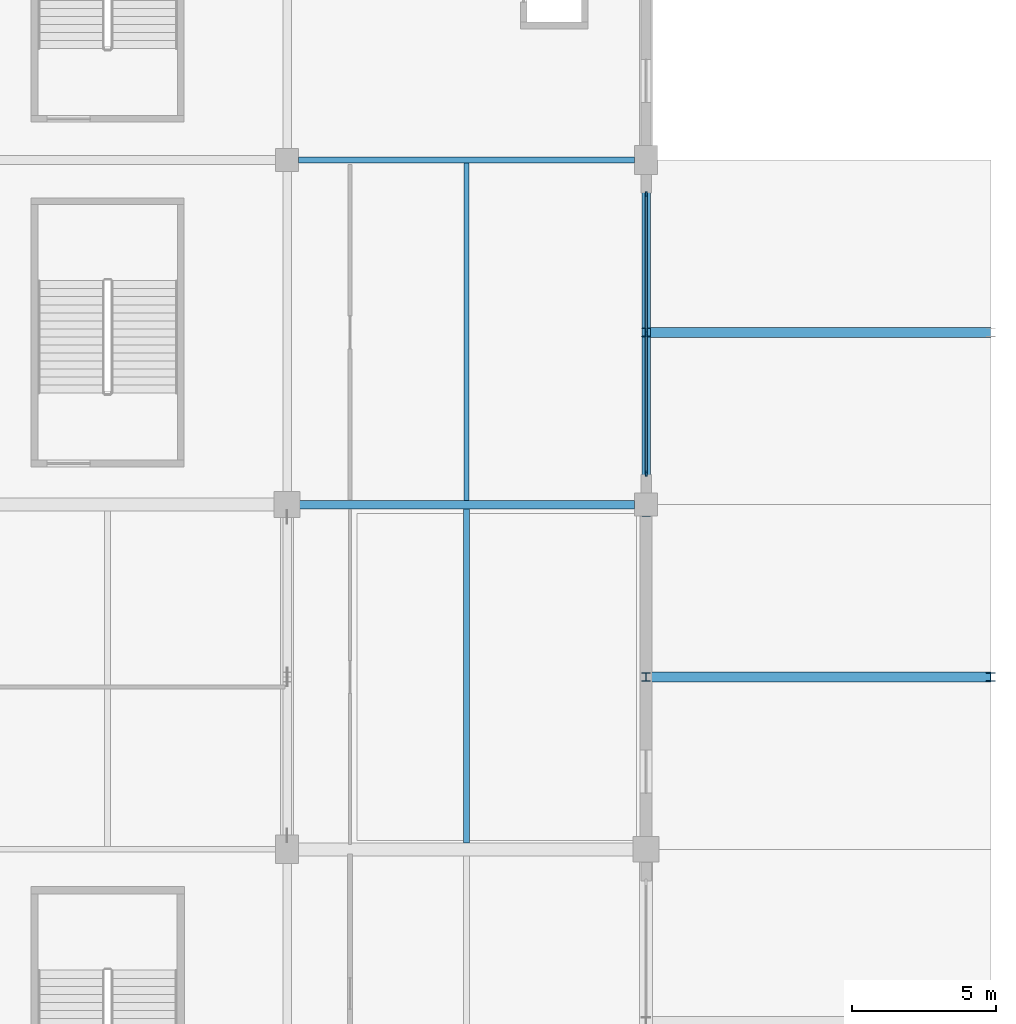
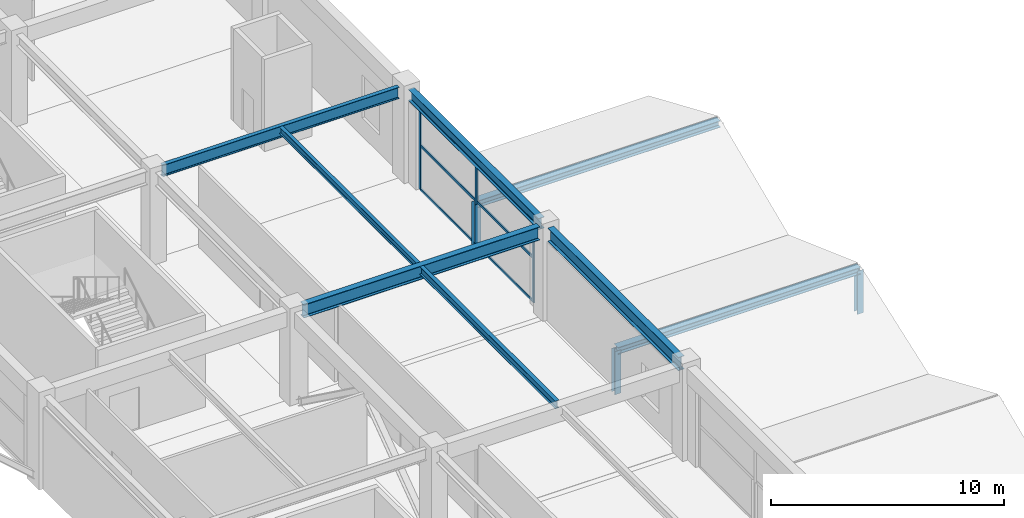
# One storey, part 43 of 116: 14 members, 6 beams, 1 element without a shape of its own.
"""IFC4 building model written with IfcOpenShell, lengths in metres."""

import ifcopenshell
import ifcopenshell.guid

model = None  # the IFC model being written
_history = None  # IfcOwnerHistory: only IFC2X3 demands one
_inside = {}  # id of a spatial element -> (the spatial element, [elements in it])
_under = {}  # id of a project, library or spatial element -> (it, [spatial elements below it])
_declared = {}  # id of a project -> (the project, [libraries it declares])
_typed = {}  # id of a type object -> (the type object, [elements of that type])
_made_of = {}  # id of a material, layer set ... -> (it, [elements and type objects made of it])


def new_model(schema):
    """Start an empty IFC model of exactly this schema.

    Asked for "IFC4X3", IfcOpenShell would pick the latest addendum, in which some entities
    have other attributes; the version numbers below select the first issue.
    IFC2X3 requires an IfcOwnerHistory on every rooted entity: one is made here for all.
    """
    global model, _history
    if schema == "IFC4X3":
        model = ifcopenshell.file(schema_version=(4, 3, 0, 0))
    else:
        model = ifcopenshell.file(schema=schema)
    _inside.clear()
    _under.clear()
    _declared.clear()
    _typed.clear()
    _made_of.clear()
    _history = None
    if model.schema == "IFC2X3":
        org = make("IfcOrganization", Name="unknown")
        user = make(
            "IfcPersonAndOrganization",
            ThePerson=make("IfcPerson", FamilyName="unknown"),
            TheOrganization=org,
        )
        app = make(
            "IfcApplication",
            ApplicationDeveloper=org,
            Version="unknown",
            ApplicationFullName="unknown",
            ApplicationIdentifier="unknown",
        )
        _history = make(
            "IfcOwnerHistory",
            OwningUser=user,
            OwningApplication=app,
            ChangeAction="ADDED",
            CreationDate=0,
        )
    return model


def make(cls, **values):
    """One entity of the class cls with the attributes given. An attribute that is None is left unset."""
    return model.create_entity(
        cls, **{name: value for name, value in values.items() if value is not None}
    )


def rooted(cls, **values):
    """An entity with a GlobalId (a new one), such as an element, a storey or a relation."""
    return make(cls, GlobalId=ifcopenshell.guid.new(), OwnerHistory=_history, **values)


def si_unit(unit_type, name, prefix=None):
    """IfcSIUnit, for example si_unit("LENGTHUNIT", "METRE", prefix="MILLI")."""
    return make("IfcSIUnit", UnitType=unit_type, Prefix=prefix, Name=name)


def assignment(units):
    """IfcUnitAssignment: the units of a project."""
    return None if units is None else make("IfcUnitAssignment", Units=units)


def point(xyz):
    """IfcCartesianPoint."""
    return None if xyz is None else make("IfcCartesianPoint", Coordinates=xyz)


def direction(xyz):
    """IfcDirection."""
    return None if xyz is None else make("IfcDirection", DirectionRatios=xyz)


def frame(location, z_axis=None, x_axis=None):
    """IfcAxis2Placement3D, a coordinate frame: its origin and axes. An axis left out is left unset."""
    return make(
        "IfcAxis2Placement3D",
        Location=point(location),
        Axis=direction(z_axis),
        RefDirection=direction(x_axis),
    )


def frame_2d(location, x_axis=None):
    """IfcAxis2Placement2D, a coordinate frame in the plane: its origin and x axis."""
    return make(
        "IfcAxis2Placement2D", Location=point(location), RefDirection=direction(x_axis)
    )


def origin():
    """The frame at (0, 0, 0) with its axes left unset."""
    return frame((0.0, 0.0, 0.0))


def origin_2d():
    """The frame at (0, 0) in the plane with its x axis left unset."""
    return frame_2d((0.0, 0.0))


def place(relative_to, where):
    """IfcLocalPlacement: puts the frame where relative to a parent placement (None: the world)."""
    return make(
        "IfcLocalPlacement", PlacementRelTo=relative_to, RelativePlacement=where
    )


def context(
    kind, dimensions, precision=None, world=None, true_north=None, identifier=None
):
    """IfcGeometricRepresentationContext, for example the 3D "Model" context."""
    return make(
        "IfcGeometricRepresentationContext",
        ContextIdentifier=identifier,
        ContextType=kind,
        CoordinateSpaceDimension=dimensions,
        Precision=precision,
        WorldCoordinateSystem=world,
        TrueNorth=true_north,
    )


def subcontext(parent, identifier, kind, view, scale=None):
    """IfcGeometricRepresentationSubContext, for example "Body" below "Model"."""
    return make(
        "IfcGeometricRepresentationSubContext",
        ContextIdentifier=identifier,
        ContextType=kind,
        ParentContext=parent,
        TargetScale=scale,
        TargetView=view,
    )


def project(units=None, contexts=None):
    """IfcProject with its units and contexts."""
    return rooted(
        "IfcProject",
        Name="project",
        RepresentationContexts=contexts,
        UnitsInContext=assignment(units),
    )


def spatial(cls, under=None, at=None, **own):
    """A site, building, storey or space (cls), placed at a placement, below another one or the project."""
    s = rooted(cls, ObjectPlacement=at, **own)
    if under is not None:
        _under.setdefault(under.id(), (under, []))[1].append(s)
    return s


def profile(cls, at=None, kind="AREA", **sizes):
    """A parametric profile (cls). Its sizes go by their IFC names, for example OverallWidth=200.0."""
    return make(cls, ProfileType=kind, Position=at, **sizes)


def rectangle(**sizes):
    """IfcRectangleProfileDef."""
    return profile("IfcRectangleProfileDef", **sizes)


def i_section(**sizes):
    """IfcIShapeProfileDef."""
    return profile("IfcIShapeProfileDef", **sizes)


def extrude(swept, where, along, depth):
    """IfcExtrudedAreaSolid: the profile swept, set in the frame where, extruded along a direction by depth."""
    return make(
        "IfcExtrudedAreaSolid",
        SweptArea=swept,
        Position=where,
        ExtrudedDirection=direction(along),
        Depth=depth,
    )


def shape(context_of_items, identifier, shape_type, items):
    """IfcShapeRepresentation: the items that make up one representation, for example the "Body"."""
    return make(
        "IfcShapeRepresentation",
        ContextOfItems=context_of_items,
        RepresentationIdentifier=identifier,
        RepresentationType=shape_type,
        Items=items,
    )


def material(Name=None, Category=None):
    """IfcMaterial."""
    return make("IfcMaterial", Name=Name, Category=Category)


def layer(
    of_material, thickness, ventilated=None, Name=None, Category=None, Priority=None
):
    """IfcMaterialLayer: one layer of a wall or slab, of a material (None: an air gap)."""
    return make(
        "IfcMaterialLayer",
        Material=of_material,
        LayerThickness=thickness,
        IsVentilated=ventilated,
        Name=Name,
        Category=Category,
        Priority=Priority,
    )


def layer_set(layers, Name=None):
    """IfcMaterialLayerSet."""
    return make("IfcMaterialLayerSet", MaterialLayers=layers, LayerSetName=Name)


def material_profile(
    of_material, cross_section, Name=None, Category=None, Priority=None
):
    """IfcMaterialProfile: a cross section and its material."""
    return make(
        "IfcMaterialProfile",
        Name=Name,
        Material=of_material,
        Profile=cross_section,
        Priority=Priority,
        Category=Category,
    )


def profile_set(profiles, Name=None, composite=None):
    """IfcMaterialProfileSet."""
    return make(
        "IfcMaterialProfileSet",
        Name=Name,
        MaterialProfiles=profiles,
        CompositeProfile=composite,
    )


def made_of(thing, what):
    """Note that an element or type object is made of a material, layer set ...; save() writes the relation."""
    if what is not None:
        _made_of.setdefault(what.id(), (what, []))[1].append(thing)
    return thing


def type_object(cls, material=None, **own):
    """A type object (cls), such as IfcWallType, which elements share."""
    return made_of(rooted(cls, **own), material)


def element(
    cls,
    number,
    at=None,
    inside=None,
    cuts=None,
    type_object=None,
    material=None,
    context=None,
    identifier="Body",
    shape_type=None,
    held_by="IfcProductDefinitionShape",
    body=None,
    shapes=None,
    **own,
):
    """One element of the class cls, such as IfcWall. Its Tag is "e" and its number.

    at: its placement. inside: the storey or other place that contains it. cuts: it is an
    opening in that element (IfcRelVoidsElement). A single representation is given by context,
    identifier, shape_type and body (its items); several are given by shapes. held_by: the class
    of the entity that holds the representations. save() writes the other relations.
    """
    e = rooted(cls, Tag="e%d" % number, ObjectPlacement=at, **own)
    if body is not None:
        shapes = [shape(context, identifier, shape_type, body)]
    if shapes is not None:
        e.Representation = make(held_by, Representations=shapes)
    if inside is not None:
        _inside.setdefault(inside.id(), (inside, []))[1].append(e)
    if cuts is not None:
        rooted(
            "IfcRelVoidsElement", RelatingBuildingElement=cuts, RelatedOpeningElement=e
        )
    if type_object is not None:
        _typed.setdefault(type_object.id(), (type_object, []))[1].append(e)
    return made_of(e, material)


def aggregate(whole, parts):
    """IfcRelAggregates: a whole, such as a stair, and the parts it consists of."""
    return rooted("IfcRelAggregates", RelatingObject=whole, RelatedObjects=parts)


def save(model, path):
    """Write the relations noted so far, then the file.

    IfcRelAggregates (storeys below a building ...), IfcRelContainedInSpatialStructure (elements
    in a storey), IfcRelDefinesByType, IfcRelAssociatesMaterial and IfcRelDeclares: one each for
    every whole, place, type object, material and project.
    """
    for whole, parts in _under.values():
        aggregate(whole, parts)
    for where, things in _inside.values():
        rooted(
            "IfcRelContainedInSpatialStructure",
            RelatedElements=things,
            RelatingStructure=where,
        )
    for kind, things in _typed.values():
        rooted("IfcRelDefinesByType", RelatedObjects=things, RelatingType=kind)
    for what, things in _made_of.values():
        rooted("IfcRelAssociatesMaterial", RelatedObjects=things, RelatingMaterial=what)
    for by, libraries in _declared.values():
        rooted("IfcRelDeclares", RelatingContext=by, RelatedDefinitions=libraries)
    model.write(path)


model = new_model("IFC4")

# Units and contexts
model_context = context("Model", 3, precision=1e-05, world=origin(), true_north=direction((0.0, 1.0)))
body_context = subcontext(model_context, "Body", "Model", "MODEL_VIEW")
ifc_project = project(units=[si_unit("LENGTHUNIT", "METRE"), si_unit("AREAUNIT", "SQUARE_METRE"), si_unit("VOLUMEUNIT", "CUBIC_METRE"), si_unit("PLANEANGLEUNIT", "RADIAN"), si_unit("MASSUNIT", "GRAM", prefix="KILO")], contexts=[model_context])

# Site, building, storey
site_placement = place(None, origin())
site = spatial("IfcSite", under=ifc_project, at=site_placement, CompositionType="ELEMENT")
building_placement = place(site_placement, origin())
building = spatial("IfcBuilding", under=site, at=building_placement, Name="Kazenohara Klinker Stadium", CompositionType="ELEMENT")
storey_placement = place(building_placement, frame((0.0, 0.0, 10.199951171875)))
storey = spatial("IfcBuildingStorey", under=building, at=storey_placement, Name="L02", CompositionType="ELEMENT", Elevation=10.199951171875)

# Beams
ifc_material_1 = material(Name="Steel S355", Category="steel")
ifc_material_profile_1 = material_profile(ifc_material_1, i_section(OverallWidth=0.199951171875, OverallDepth=0.39990234375, WebThickness=0.008056640625, FlangeThickness=0.012939453125, FilletRadius=0.012939453125, at=origin_2d()), Name="H-400x200x8x13")
ifc_profile_set_1 = profile_set([ifc_material_profile_1], Name="Steel S355")
beam_type_1 = type_object("IfcBeamType", Name="BM-JST03", PredefinedType="JOIST", material=ifc_profile_set_1)
beam_1_placement = place(storey_placement, frame((193.75, 108.22509765625, 4.6201171875), z_axis=(0.0, 1.0, 0.0), x_axis=(-1.0, 0.0, 0.0)))
element("IfcBeam", 1, at=beam_1_placement, inside=storey, type_object=beam_type_1, Name="Secondary floor joist SJ03 L02 16/K", PredefinedType="JOIST", context=body_context, shape_type="SweptSolid", body=[
    extrude(i_section(OverallWidth=0.199951171875, OverallDepth=0.39990234375, WebThickness=0.008056640625, FlangeThickness=0.012939453125, FilletRadius=0.012939453125, at=origin_2d()), origin(), (0.0, 0.0, 1.0), 11.625),
])
ifc_material_profile_2 = material_profile(ifc_material_1, i_section(OverallWidth=0.175048828125, OverallDepth=0.35009765625, WebThickness=0.007080078125, FlangeThickness=0.010986328125, FilletRadius=0.012939453125, at=origin_2d()), Name="H-350x175x7x11")
ifc_profile_set_2 = profile_set([ifc_material_profile_2], Name="Steel S355")
beam_type_2 = type_object("IfcBeamType", Name="BM-JST04", PredefinedType="JOIST", material=ifc_profile_set_2)
beam_2_placement = place(storey_placement, frame((193.75, 120.14990234375, 4.64501953125), z_axis=(0.0, 1.0, 0.0), x_axis=(-1.0, 0.0, 0.0)))
element("IfcBeam", 2, at=beam_2_placement, inside=storey, type_object=beam_type_2, Name="Secondary floor joist SJ04 L02 16/L", PredefinedType="JOIST", context=body_context, shape_type="SweptSolid", body=[
    extrude(i_section(OverallWidth=0.175048828125, OverallDepth=0.35009765625, WebThickness=0.007080078125, FlangeThickness=0.010986328125, FilletRadius=0.012939453125, at=origin_2d()), origin(), (0.0, 0.0, 1.0), 11.75),
])
ifc_material_profile_3 = material_profile(ifc_material_1, i_section(OverallWidth=0.300048828125, OverallDepth=0.699951171875, WebThickness=0.012939453125, FlangeThickness=0.02392578125, FilletRadius=0.02197265625, at=origin_2d()), Name="H-700x300x13x24")
ifc_profile_set_3 = profile_set([ifc_material_profile_3], Name="Steel S355")
beam_type_3 = type_object("IfcBeamType", Name="BM-ST03", PredefinedType="BEAM", material=ifc_profile_set_3)
beam_3_placement = place(storey_placement, frame((187.919921875, 120.0, 4.469970703125), z_axis=(1.0, 0.0, 0.0), x_axis=(0.0, 1.0, 0.0)))
element("IfcBeam", 3, at=beam_3_placement, inside=storey, type_object=beam_type_3, Name="Primary girder SB03 L02 16-17/L", PredefinedType="BEAM", context=body_context, shape_type="SweptSolid", body=[
    extrude(i_section(OverallWidth=0.300048828125, OverallDepth=0.699951171875, WebThickness=0.012939453125, FlangeThickness=0.02392578125, FilletRadius=0.02197265625, at=origin_2d()), origin(), (0.0, 0.0, 1.0), 11.68017578125),
])
beam_4_placement = place(storey_placement, frame((200.0, 108.419921875, 4.469970703125), z_axis=(0.0, 1.0, 0.0), x_axis=(-1.0, 0.0, 0.0)))
element("IfcBeam", 4, at=beam_4_placement, inside=storey, type_object=beam_type_3, Name="Primary girder SB03 L02 17/K-L", PredefinedType="BEAM", context=body_context, shape_type="SweptSolid", body=[
    extrude(i_section(OverallWidth=0.300048828125, OverallDepth=0.699951171875, WebThickness=0.012939453125, FlangeThickness=0.02392578125, FilletRadius=0.02197265625, at=origin_2d()), origin(), (0.0, 0.0, 1.0), 11.18017578125),
])
ifc_material_profile_4 = material_profile(ifc_material_1, i_section(OverallWidth=0.199951171875, OverallDepth=0.60009765625, WebThickness=0.010986328125, FlangeThickness=0.01708984375, FilletRadius=0.012939453125, at=origin_2d()), Name="H-600x200x11x17")
ifc_profile_set_4 = profile_set([ifc_material_profile_4], Name="Steel S355")
beam_type_4 = type_object("IfcBeamType", Name="BM-ST04", PredefinedType="BEAM", material=ifc_profile_set_4)
beam_5_placement = place(storey_placement, frame((187.89990234375, 132.0, 4.52001953125), z_axis=(1.0, 0.0, 0.0), x_axis=(0.0, 1.0, 0.0)))
element("IfcBeam", 5, at=beam_5_placement, inside=storey, type_object=beam_type_4, Name="Primary girder SB04 L02 16-17/M", PredefinedType="BEAM", context=body_context, shape_type="SweptSolid", body=[
    extrude(i_section(OverallWidth=0.199951171875, OverallDepth=0.60009765625, WebThickness=0.010986328125, FlangeThickness=0.01708984375, FilletRadius=0.012939453125, at=origin_2d()), origin(), (0.0, 0.0, 1.0), 11.7001953125),
])
ifc_material_profile_5 = material_profile(ifc_material_1, i_section(OverallWidth=0.300048828125, OverallDepth=0.587890625, WebThickness=0.011962890625, FlangeThickness=0.02001953125, FilletRadius=0.02197265625, at=origin_2d()), Name="H-588x300x12x20")
ifc_profile_set_5 = profile_set([ifc_material_profile_5], Name="Steel S355")
beam_type_5 = type_object("IfcBeamType", Name="BM-ST05", PredefinedType="BEAM", material=ifc_profile_set_5)
beam_6_placement = place(storey_placement, frame((200.0, 120.39990234375, 4.526123046875), z_axis=(0.0, 1.0, 0.0), x_axis=(-1.0, 0.0, 0.0)))
element("IfcBeam", 6, at=beam_6_placement, inside=storey, type_object=beam_type_5, Name="Primary girder SB05 L02 17/L-M", PredefinedType="BEAM", context=body_context, shape_type="SweptSolid", body=[
    extrude(i_section(OverallWidth=0.300048828125, OverallDepth=0.587890625, WebThickness=0.011962890625, FlangeThickness=0.02001953125, FilletRadius=0.02197265625, at=origin_2d()), origin(), (0.0, 0.0, 1.0), 11.18017578125),
])

# Curtain wall, members
ifc_material_2 = material(Name="Anodised aluminium and triple glazing", Category="aluminium")
ifc_layer = layer(ifc_material_2, 0.199951171875)
ifc_layer_set = layer_set([ifc_layer], Name="Anodised aluminium and triple glazing")
curtain_wall_type = type_object("IfcCurtainWallType", Name="CW-SYS-03", PredefinedType="USERDEFINED", material=ifc_layer_set)
curtain_wall_placement = place(storey_placement, origin())
curtain_wall = element("IfcCurtainWall", 7, at=curtain_wall_placement, inside=storey, type_object=curtain_wall_type, Name="Unitised facade curtain wall CW03 L02 Y16-10", ObjectType="UNITISED CURTAIN WALL", PredefinedType="USERDEFINED")
ifc_material_3 = material(Name="Anodised aluminium 6063-T6", Category="aluminium")
ifc_material_profile_6 = material_profile(ifc_material_3, rectangle(XDim=0.06494140625, YDim=0.179931640625, at=origin_2d()), Name="ALU-MUL-65x180")
ifc_profile_set_6 = profile_set([ifc_material_profile_6], Name="Anodised aluminium 6063-T6")
member_type_1 = type_object("IfcMemberType", Name="CW-MUL-180", PredefinedType="MULLION", material=ifc_profile_set_6)
member_1_placement = place(storey_placement, frame((200.0, 121.08642578125, 0.0), z_axis=(0.0, 0.0, 1.0), x_axis=(-1.0, 0.0, 0.0)))
member_1 = element("IfcMember", 8, at=member_1_placement, type_object=member_type_1, Name="CW03 mullion 1", PredefinedType="MULLION", context=body_context, shape_type="SweptSolid", body=[
    extrude(rectangle(XDim=0.06494140625, YDim=0.179931640625, at=origin_2d()), origin(), (0.0, 0.0, 1.0), 4.23193359375),
])
member_2_placement = place(storey_placement, frame((200.0, 125.949951171875, 0.0), z_axis=(0.0, 0.0, 1.0), x_axis=(-1.0, 0.0, 0.0)))
member_2 = element("IfcMember", 9, at=member_2_placement, type_object=member_type_1, Name="CW03 mullion 2", PredefinedType="MULLION", context=body_context, shape_type="SweptSolid", body=[
    extrude(rectangle(XDim=0.06494140625, YDim=0.179931640625, at=origin_2d()), origin(), (0.0, 0.0, 1.0), 4.23193359375),
])
member_3_placement = place(storey_placement, frame((200.0, 130.8134765625, 0.0), z_axis=(0.0, 0.0, 1.0), x_axis=(-1.0, 0.0, 0.0)))
member_3 = element("IfcMember", 10, at=member_3_placement, type_object=member_type_1, Name="CW03 mullion 3", PredefinedType="MULLION", context=body_context, shape_type="SweptSolid", body=[
    extrude(rectangle(XDim=0.06494140625, YDim=0.179931640625, at=origin_2d()), origin(), (0.0, 0.0, 1.0), 4.23193359375),
])
ifc_material_profile_7 = material_profile(ifc_material_3, rectangle(XDim=0.06494140625, YDim=0.139892578125, at=origin_2d()), Name="ALU-TRN-65x140")
ifc_profile_set_7 = profile_set([ifc_material_profile_7], Name="Anodised aluminium 6063-T6")
member_type_2 = type_object("IfcMemberType", Name="CW-TRN-140", PredefinedType="USERDEFINED", material=ifc_profile_set_7)
member_4_placement = place(storey_placement, frame((200.0, 121.118896484375, 0.032470703125), z_axis=(0.0, 1.0, 0.0), x_axis=(-1.0, 0.0, 0.0)))
member_4 = element("IfcMember", 11, at=member_4_placement, type_object=member_type_2, Name="CW03 transom 1.1", ObjectType="TRANSOM", PredefinedType="USERDEFINED", context=body_context, shape_type="SweptSolid", body=[
    extrude(rectangle(XDim=0.06494140625, YDim=0.139892578125, at=origin_2d()), origin(), (0.0, 0.0, 1.0), 4.798583984375),
])
member_5_placement = place(storey_placement, frame((200.0, 121.118896484375, 2.32763671875), z_axis=(0.0, 1.0, 0.0), x_axis=(-1.0, 0.0, 0.0)))
member_5 = element("IfcMember", 12, at=member_5_placement, type_object=member_type_2, Name="CW03 transom 1.2", ObjectType="TRANSOM", PredefinedType="USERDEFINED", context=body_context, shape_type="SweptSolid", body=[
    extrude(rectangle(XDim=0.06494140625, YDim=0.139892578125, at=origin_2d()), origin(), (0.0, 0.0, 1.0), 4.798583984375),
])
member_6_placement = place(storey_placement, frame((200.0, 121.118896484375, 4.199462890625), z_axis=(0.0, 1.0, 0.0), x_axis=(-1.0, 0.0, 0.0)))
member_6 = element("IfcMember", 13, at=member_6_placement, type_object=member_type_2, Name="CW03 transom 1.3", ObjectType="TRANSOM", PredefinedType="USERDEFINED", context=body_context, shape_type="SweptSolid", body=[
    extrude(rectangle(XDim=0.06494140625, YDim=0.139892578125, at=origin_2d()), origin(), (0.0, 0.0, 1.0), 4.798583984375),
])
member_7_placement = place(storey_placement, frame((200.0, 125.982421875, 0.032470703125), z_axis=(0.0, 1.0, 0.0), x_axis=(-1.0, 0.0, 0.0)))
member_7 = element("IfcMember", 14, at=member_7_placement, type_object=member_type_2, Name="CW03 transom 2.1", ObjectType="TRANSOM", PredefinedType="USERDEFINED", context=body_context, shape_type="SweptSolid", body=[
    extrude(rectangle(XDim=0.06494140625, YDim=0.139892578125, at=origin_2d()), origin(), (0.0, 0.0, 1.0), 4.798583984375),
])
member_8_placement = place(storey_placement, frame((200.0, 125.982421875, 2.32763671875), z_axis=(0.0, 1.0, 0.0), x_axis=(-1.0, 0.0, 0.0)))
member_8 = element("IfcMember", 15, at=member_8_placement, type_object=member_type_2, Name="CW03 transom 2.2", ObjectType="TRANSOM", PredefinedType="USERDEFINED", context=body_context, shape_type="SweptSolid", body=[
    extrude(rectangle(XDim=0.06494140625, YDim=0.139892578125, at=origin_2d()), origin(), (0.0, 0.0, 1.0), 4.798583984375),
])
member_9_placement = place(storey_placement, frame((200.0, 125.982421875, 4.199462890625), z_axis=(0.0, 1.0, 0.0), x_axis=(-1.0, 0.0, 0.0)))
member_9 = element("IfcMember", 16, at=member_9_placement, type_object=member_type_2, Name="CW03 transom 2.3", ObjectType="TRANSOM", PredefinedType="USERDEFINED", context=body_context, shape_type="SweptSolid", body=[
    extrude(rectangle(XDim=0.06494140625, YDim=0.139892578125, at=origin_2d()), origin(), (0.0, 0.0, 1.0), 4.798583984375),
])
aggregate(curtain_wall, [member_1, member_2, member_3, member_4, member_5, member_6, member_7, member_8, member_9])

# Members
ifc_material_profile_8 = material_profile(ifc_material_1, i_section(OverallWidth=0.35009765625, OverallDepth=0.35009765625, WebThickness=0.011962890625, FlangeThickness=0.01904296875, FilletRadius=0.012939453125, at=origin_2d()), Name="H-350x350x12x19")
ifc_profile_set_8 = profile_set([ifc_material_profile_8], Name="Steel S355")
member_type_3 = type_object("IfcMemberType", Name="MEM-CHD02", PredefinedType="CHORD", material=ifc_profile_set_8)
for number, where, z_axis, x_axis, name in (
    (17, (200.0, 114.0, 1.830078125), (1.0, 0.0, 0.0), (0.0, 1.0, 0.0), "Stepped pavilion gable ridge beam L02 17/K"),
    (18, (200.0, 126.0, 2.22998046875), (1.0, 0.0, 0.0), (0.0, 1.0, 0.0), "Stepped pavilion gable ridge beam L02 17/L"),
):
    element("IfcMember", number, at=place(storey_placement, frame(where, z_axis=z_axis, x_axis=x_axis)), inside=storey, type_object=member_type_3, Name=name, PredefinedType="CHORD", context=body_context, shape_type="SweptSolid", body=[
        extrude(i_section(OverallWidth=0.35009765625, OverallDepth=0.35009765625, WebThickness=0.011962890625, FlangeThickness=0.01904296875, FilletRadius=0.012939453125, at=origin_2d()), origin(), (0.0, 0.0, 1.0), 12.0),
    ])
ifc_material_profile_9 = material_profile(ifc_material_1, i_section(OverallWidth=0.300048828125, OverallDepth=0.300048828125, WebThickness=0.010009765625, FlangeThickness=0.014892578125, FilletRadius=0.012939453125, at=origin_2d()), Name="H-300x300x10x15")
ifc_profile_set_9 = profile_set([ifc_material_profile_9], Name="Steel S355")
member_type_4 = type_object("IfcMemberType", Name="MEM-STR01", PredefinedType="STRUT", material=ifc_profile_set_9)
member_10_placement = place(storey_placement, frame((200.0, 114.0, -0.429931640625), z_axis=(0.0, 0.0, 1.0), x_axis=(1.0, 0.0, 0.0)))
element("IfcMember", 19, at=member_10_placement, inside=storey, type_object=member_type_4, Name="Stepped pavilion gable king-post L02 17/K W", PredefinedType="STRUT", context=body_context, shape_type="SweptSolid", body=[
    extrude(i_section(OverallWidth=0.300048828125, OverallDepth=0.300048828125, WebThickness=0.010009765625, FlangeThickness=0.014892578125, FilletRadius=0.012939453125, at=origin_2d()), origin(), (0.0, 0.0, 1.0), 2.260009765625),
])
member_11_placement = place(storey_placement, frame((200.0, 126.0, -0.429931640625), z_axis=(0.0, 0.0, 1.0), x_axis=(1.0, 0.0, 0.0)))
element("IfcMember", 20, at=member_11_placement, inside=storey, type_object=member_type_4, Name="Stepped pavilion gable king-post L02 17/L W", PredefinedType="STRUT", context=body_context, shape_type="SweptSolid", body=[
    extrude(i_section(OverallWidth=0.300048828125, OverallDepth=0.300048828125, WebThickness=0.010009765625, FlangeThickness=0.014892578125, FilletRadius=0.012939453125, at=origin_2d()), origin(), (0.0, 0.0, 1.0), 2.659912109375),
])
member_12_placement = place(storey_placement, frame((212.0, 114.0, -0.429931640625), z_axis=(0.0, 0.0, 1.0), x_axis=(1.0, 0.0, 0.0)))
element("IfcMember", 21, at=member_12_placement, inside=storey, type_object=member_type_4, Name="Stepped pavilion gable king-post L02 17/K E", PredefinedType="STRUT", context=body_context, shape_type="SweptSolid", body=[
    extrude(i_section(OverallWidth=0.300048828125, OverallDepth=0.300048828125, WebThickness=0.010009765625, FlangeThickness=0.014892578125, FilletRadius=0.012939453125, at=origin_2d()), origin(), (0.0, 0.0, 1.0), 2.260009765625),
])

save(model, "model.ifc")
